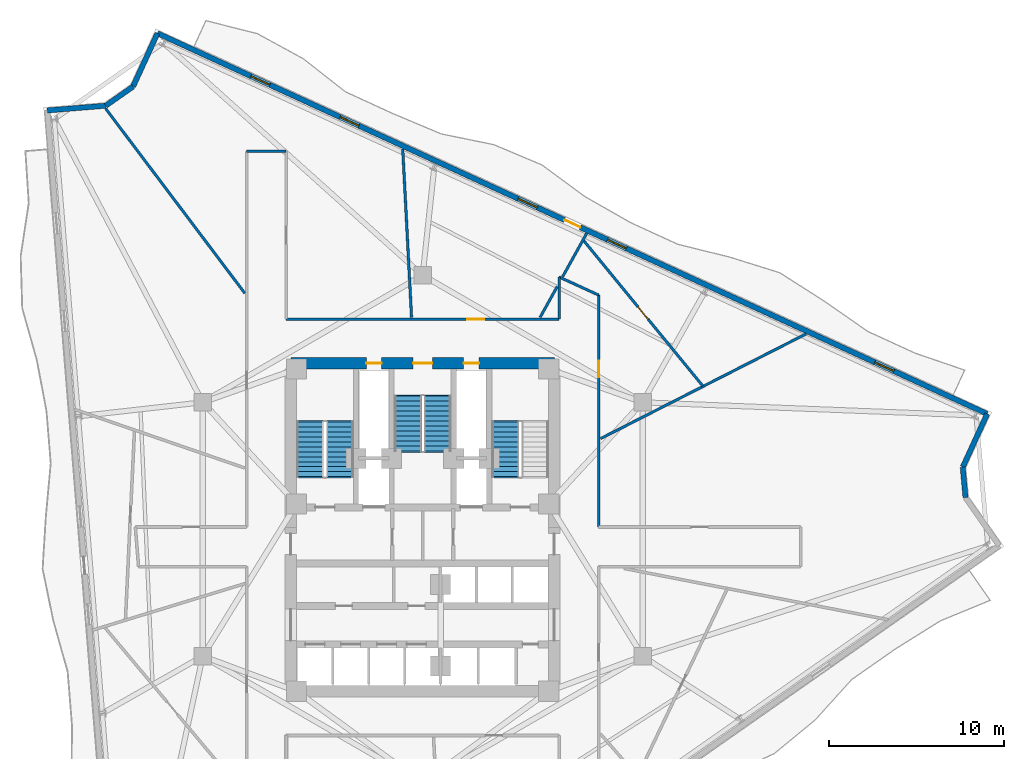
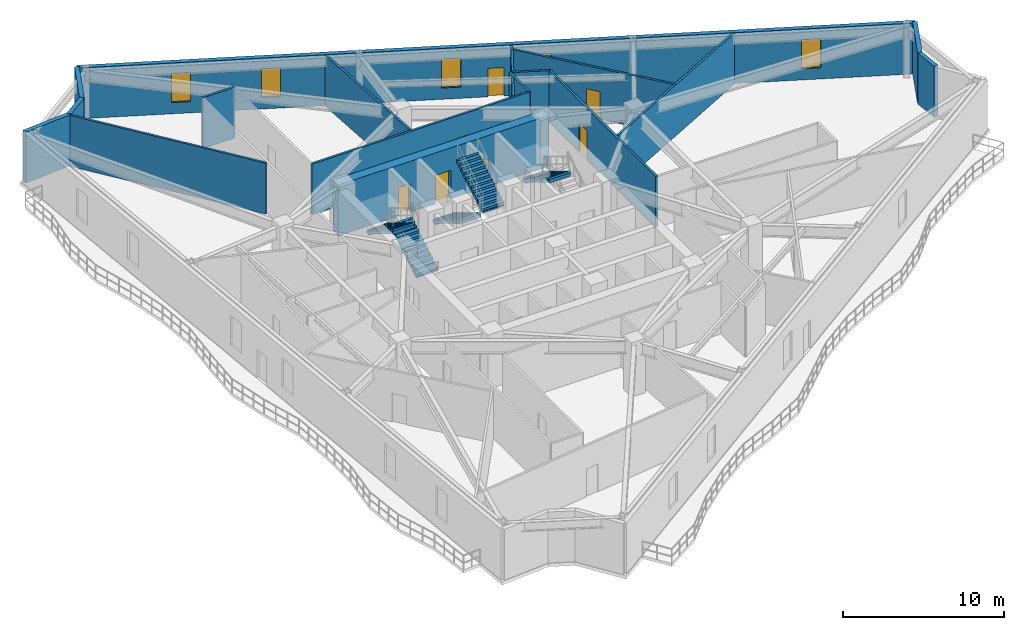
# One storey, part 7 of 12: 18 walls, 7 doors, 5 stair flights, 5 windows, 12 openings, 3 elements without a shape of their own.
"""IFC4 building model written with IfcOpenShell, lengths in metres."""

from ifc_helpers import new_model, si_unit, direction, frame, frame_2d, origin, place, context, subcontext, project, spatial, polyline, rectangle, outline, extrude, material, layer, layer_set, type_object, element, fill, aggregate, save


model = new_model("IFC4")

# Units and contexts
model_context = context("Model", 3, precision=1e-05, world=origin(), true_north=direction((0.0, 1.0)))
body_context = subcontext(model_context, "Body", "Model", "MODEL_VIEW")
ifc_project = project(units=[si_unit("LENGTHUNIT", "METRE"), si_unit("AREAUNIT", "SQUARE_METRE"), si_unit("VOLUMEUNIT", "CUBIC_METRE"), si_unit("PLANEANGLEUNIT", "RADIAN"), si_unit("MASSUNIT", "GRAM", prefix="KILO")], contexts=[model_context])

# Site, building, storey
site_placement = place(None, origin())
site = spatial("IfcSite", under=ifc_project, at=site_placement, CompositionType="ELEMENT")
building_placement = place(site_placement, origin())
building = spatial("IfcBuilding", under=site, at=building_placement, Name="Apsidion Concourse Tower", CompositionType="ELEMENT")
storey_placement = place(building_placement, frame((0.0, 0.0, 198.300048828125)))
storey = spatial("IfcBuildingStorey", under=building, at=storey_placement, Name="L46", CompositionType="ELEMENT", Elevation=198.300048828125)

# Wall, openings, door, windows
ifc_material_1 = material(Name="Precast concrete C40/50", Category="concrete")
ifc_layer_1 = layer(ifc_material_1, 0.300048828125)
ifc_layer_set_1 = layer_set([ifc_layer_1], Name="Precast concrete C40/50")
wall_type_1 = type_object("IfcWallType", Name="WL-EXT-300", PredefinedType="STANDARD", material=ifc_layer_set_1)
wall_1_placement = place(storey_placement, frame((-15.1435546875, 28.32177734375, 0.0), z_axis=(0.0, 0.0, 1.0), x_axis=(0.908932099953, -0.416944166136, 0.0)))
wall_1 = element("IfcWall", 1, at=wall_1_placement, inside=storey, type_object=wall_type_1, Name="L46 Precast Stone Facade Wall 01", PredefinedType="STANDARD", context=body_context, shape_type="SweptSolid", body=[
    extrude(rectangle(XDim=52.127685546875, YDim=0.300048828125, at=frame_2d((26.06396484375, 0.0))), origin(), (0.0, 0.0, 1.0), 3.849853515625),
])
opening_1_placement = place(wall_1_placement, frame((25.56396484375, 0.0, 0.0)))
opening_1 = element("IfcOpeningElement", 2, at=opening_1_placement, cuts=wall_1, Name="Opening D-T1L", PredefinedType="OPENING", context=body_context, shape_type="SweptSolid", body=[
    extrude(rectangle(XDim=1.0, YDim=2.14990234375, at=frame_2d((0.5, 1.074951171875))), frame((0.0, 0.16015625, 0.0), z_axis=(0.0, -1.0, 0.0), x_axis=(1.0, 0.0, 0.0)), (0.0, 0.0, 1.0), 0.320068359375),
])
opening_2_placement = place(wall_1_placement, frame((5.864013671875, 0.0, 0.85009765625)))
opening_2 = element("IfcOpeningElement", 3, at=opening_2_placement, cuts=wall_1, Name="Opening WN-06", PredefinedType="OPENING", context=body_context, shape_type="SweptSolid", body=[
    extrude(rectangle(XDim=1.199951171875, YDim=2.199951171875, at=frame_2d((0.60009765625, 1.10009765625))), frame((0.0, 0.16015625, 0.0), z_axis=(0.0, -1.0, 0.0), x_axis=(1.0, 0.0, 0.0)), (0.0, 0.0, 1.0), 0.320068359375),
])
opening_3_placement = place(wall_1_placement, frame((11.4638671875, 0.0, 0.85009765625)))
opening_3 = element("IfcOpeningElement", 4, at=opening_3_placement, cuts=wall_1, Name="Opening WN-06", PredefinedType="OPENING", context=body_context, shape_type="SweptSolid", body=[
    extrude(rectangle(XDim=1.199951171875, YDim=2.199951171875, at=frame_2d((0.60009765625, 1.10009765625))), frame((0.0, 0.16015625, 0.0), z_axis=(0.0, -1.0, 0.0), x_axis=(1.0, 0.0, 0.0)), (0.0, 0.0, 1.0), 0.320068359375),
])
opening_4_placement = place(wall_1_placement, frame((22.663818359375, 0.0, 0.85009765625)))
opening_4 = element("IfcOpeningElement", 5, at=opening_4_placement, cuts=wall_1, Name="Opening WN-06", PredefinedType="OPENING", context=body_context, shape_type="SweptSolid", body=[
    extrude(rectangle(XDim=1.199951171875, YDim=2.199951171875, at=frame_2d((0.60009765625, 1.10009765625))), frame((0.0, 0.16015625, 0.0), z_axis=(0.0, -1.0, 0.0), x_axis=(1.0, 0.0, 0.0)), (0.0, 0.0, 1.0), 0.320068359375),
])
opening_5_placement = place(wall_1_placement, frame((28.263916015625, 0.0, 0.85009765625)))
opening_5 = element("IfcOpeningElement", 6, at=opening_5_placement, cuts=wall_1, Name="Opening WN-06", PredefinedType="OPENING", context=body_context, shape_type="SweptSolid", body=[
    extrude(rectangle(XDim=1.199951171875, YDim=2.199951171875, at=frame_2d((0.60009765625, 1.10009765625))), frame((0.0, 0.16015625, 0.0), z_axis=(0.0, -1.0, 0.0), x_axis=(1.0, 0.0, 0.0)), (0.0, 0.0, 1.0), 0.320068359375),
])
opening_6_placement = place(wall_1_placement, frame((45.06396484375, 0.0, 0.85009765625)))
opening_6 = element("IfcOpeningElement", 7, at=opening_6_placement, cuts=wall_1, Name="Opening WN-06", PredefinedType="OPENING", context=body_context, shape_type="SweptSolid", body=[
    extrude(rectangle(XDim=1.199951171875, YDim=2.199951171875, at=frame_2d((0.60009765625, 1.10009765625))), frame((0.0, 0.16015625, 0.0), z_axis=(0.0, -1.0, 0.0), x_axis=(1.0, 0.0, 0.0)), (0.0, 0.0, 1.0), 0.320068359375),
])
ifc_material_2 = material(Name="Anodised aluminium EN AW-6063 T6", Category="aluminium")
door_type_1 = type_object("IfcDoorType", Name="DR-TER-1022L", OperationType="SINGLE_SWING_LEFT", PredefinedType="DOOR", material=ifc_material_2)
door_1_placement = place(opening_1_placement, origin())
door_1 = element("IfcDoor", 8, at=door_1_placement, inside=storey, type_object=door_type_1, Name="L46 Balcony Access Door 3", OperationType="SINGLE_SWING_LEFT", OverallHeight=2.14990234375, OverallWidth=1.0, PredefinedType="DOOR", context=body_context, shape_type="SweptSolid", body=[
    extrude(rectangle(XDim=1.0, YDim=2.14990234375, at=frame_2d((0.5, 1.074951171875))), frame((0.0, 0.02490234375, 0.0), z_axis=(0.0, -1.0, 0.0), x_axis=(1.0, 0.0, 0.0)), (0.0, 0.0, 1.0), 0.050048828125),
])
fill(opening_1, door_1)
ifc_material_3 = material(Name="Insulated laminated low-E glass", Category="glass")
window_type = type_object("IfcWindowType", Name="WN-OFF-1224", PartitioningType="SINGLE_PANEL", PredefinedType="WINDOW", material=ifc_material_3)
window_1_placement = place(opening_2_placement, origin())
window_1 = element("IfcWindow", 9, at=window_1_placement, inside=storey, type_object=window_type, Name="L46 Punched Facade Window 1-01", OverallHeight=2.199951171875, OverallWidth=1.199951171875, PartitioningType="SINGLE_PANEL", PredefinedType="WINDOW", context=body_context, shape_type="SweptSolid", body=[
    extrude(rectangle(XDim=1.199951171875, YDim=2.199951171875, at=frame_2d((0.60009765625, 1.10009765625))), frame((0.0, 0.030029296875, 0.0), z_axis=(0.0, -1.0, 0.0), x_axis=(1.0, 0.0, 0.0)), (0.0, 0.0, 1.0), 0.06005859375),
])
fill(opening_2, window_1)
window_2_placement = place(opening_3_placement, origin())
window_2 = element("IfcWindow", 10, at=window_2_placement, inside=storey, type_object=window_type, Name="L46 Punched Facade Window 1-02", OverallHeight=2.199951171875, OverallWidth=1.199951171875, PartitioningType="SINGLE_PANEL", PredefinedType="WINDOW", context=body_context, shape_type="SweptSolid", body=[
    extrude(rectangle(XDim=1.199951171875, YDim=2.199951171875, at=frame_2d((0.60009765625, 1.10009765625))), frame((0.0, 0.030029296875, 0.0), z_axis=(0.0, -1.0, 0.0), x_axis=(1.0, 0.0, 0.0)), (0.0, 0.0, 1.0), 0.06005859375),
])
fill(opening_3, window_2)
window_3_placement = place(opening_4_placement, origin())
window_3 = element("IfcWindow", 11, at=window_3_placement, inside=storey, type_object=window_type, Name="L46 Punched Facade Window 1-04", OverallHeight=2.199951171875, OverallWidth=1.199951171875, PartitioningType="SINGLE_PANEL", PredefinedType="WINDOW", context=body_context, shape_type="SweptSolid", body=[
    extrude(rectangle(XDim=1.199951171875, YDim=2.199951171875, at=frame_2d((0.60009765625, 1.10009765625))), frame((0.0, 0.030029296875, 0.0), z_axis=(0.0, -1.0, 0.0), x_axis=(1.0, 0.0, 0.0)), (0.0, 0.0, 1.0), 0.06005859375),
])
fill(opening_4, window_3)
window_4_placement = place(opening_5_placement, origin())
window_4 = element("IfcWindow", 12, at=window_4_placement, inside=storey, type_object=window_type, Name="L46 Punched Facade Window 1-05", OverallHeight=2.199951171875, OverallWidth=1.199951171875, PartitioningType="SINGLE_PANEL", PredefinedType="WINDOW", context=body_context, shape_type="SweptSolid", body=[
    extrude(rectangle(XDim=1.199951171875, YDim=2.199951171875, at=frame_2d((0.60009765625, 1.10009765625))), frame((0.0, 0.030029296875, 0.0), z_axis=(0.0, -1.0, 0.0), x_axis=(1.0, 0.0, 0.0)), (0.0, 0.0, 1.0), 0.06005859375),
])
fill(opening_5, window_4)
window_5_placement = place(opening_6_placement, origin())
window_5 = element("IfcWindow", 13, at=window_5_placement, inside=storey, type_object=window_type, Name="L46 Punched Facade Window 1-08", OverallHeight=2.199951171875, OverallWidth=1.199951171875, PartitioningType="SINGLE_PANEL", PredefinedType="WINDOW", context=body_context, shape_type="SweptSolid", body=[
    extrude(rectangle(XDim=1.199951171875, YDim=2.199951171875, at=frame_2d((0.60009765625, 1.10009765625))), frame((0.0, 0.030029296875, 0.0), z_axis=(0.0, -1.0, 0.0), x_axis=(1.0, 0.0, 0.0)), (0.0, 0.0, 1.0), 0.06005859375),
])
fill(opening_6, window_5)

# Walls
wall_2_placement = place(storey_placement, frame((32.237060546875, 6.58740234375, 0.0), z_axis=(0.0, 0.0, 1.0), x_axis=(-0.416956203263, -0.908926578201, 0.0)))
element("IfcWall", 14, at=wall_2_placement, inside=storey, type_object=wall_type_1, Name="L46 Precast Stone Facade Wall 02", PredefinedType="STANDARD", context=body_context, shape_type="SweptSolid", body=[
    extrude(rectangle(XDim=3.345703125, YDim=0.300048828125, at=frame_2d((1.6728515625, 0.0))), origin(), (0.0, 0.0, 1.0), 3.849853515625),
])
wall_3_placement = place(storey_placement, frame((30.842041015625, 3.54638671875, 0.0), z_axis=(0.0, 0.0, 1.0), x_axis=(0.09030850916, -0.995913838228, 0.0)))
element("IfcWall", 15, at=wall_3_placement, inside=storey, type_object=wall_type_1, Name="L46 Precast Stone Facade Wall 03", PredefinedType="STANDARD", context=body_context, shape_type="SweptSolid", body=[
    extrude(rectangle(XDim=1.74365234375, YDim=0.300048828125, at=frame_2d((0.871826171875, 0.0))), origin(), (0.0, 0.0, 1.0), 3.849853515625),
])
wall_4_placement = place(storey_placement, frame((-21.4345703125, 23.9169921875, 0.0), z_axis=(0.0, 0.0, 1.0), x_axis=(0.99672253381, 0.080896171692, 0.0)))
element("IfcWall", 16, at=wall_4_placement, inside=storey, type_object=wall_type_1, Name="L46 Precast Stone Facade Wall 10", PredefinedType="STANDARD", context=body_context, shape_type="SweptSolid", body=[
    extrude(rectangle(XDim=3.346923828125, YDim=0.300048828125, at=frame_2d((1.67333984375, 0.0))), origin(), (0.0, 0.0, 1.0), 3.849853515625),
])
wall_5_placement = place(storey_placement, frame((-18.0986328125, 24.187744140625, 0.0), z_axis=(0.0, 0.0, 1.0), x_axis=(0.819147570989, 0.573582824833, 0.0)))
element("IfcWall", 17, at=wall_5_placement, inside=storey, type_object=wall_type_1, Name="L46 Precast Stone Facade Wall 11", PredefinedType="STANDARD", context=body_context, shape_type="SweptSolid", body=[
    extrude(rectangle(XDim=1.90380859375, YDim=0.300048828125, at=frame_2d((0.951904296875, 0.0))), origin(), (0.0, 0.0, 1.0), 3.849853515625),
])
wall_6_placement = place(storey_placement, frame((-16.5390625, 25.27978515625, 0.0), z_axis=(0.0, 0.0, 1.0), x_axis=(0.416966150663, 0.908922014917, 0.0)))
element("IfcWall", 18, at=wall_6_placement, inside=storey, type_object=wall_type_1, Name="L46 Precast Stone Facade Wall 12", PredefinedType="STANDARD", context=body_context, shape_type="SweptSolid", body=[
    extrude(rectangle(XDim=3.346923828125, YDim=0.300048828125, at=frame_2d((1.67333984375, 0.0))), origin(), (0.0, 0.0, 1.0), 3.849853515625),
])
ifc_material_4 = material(Name="Gypsum plasterboard partition")
ifc_layer_2 = layer(ifc_material_4, 0.14990234375)
ifc_layer_set_2 = layer_set([ifc_layer_2], Name="Gypsum plasterboard partition")
wall_type_2 = type_object("IfcWallType", Name="WL-INT-PAR-150", PredefinedType="PARTITIONING", material=ifc_layer_set_2)
wall_7_placement = place(storey_placement, frame((-10.050048828125, 21.580078125, 0.0), z_axis=(0.0, 0.0, 1.0), x_axis=(1.0, 0.0, 0.0)))
element("IfcWall", 19, at=wall_7_placement, inside=storey, type_object=wall_type_2, Name="L46 Interior Partition WL-L46-CORR-11", PredefinedType="PARTITIONING", context=body_context, shape_type="SweptSolid", body=[
    extrude(rectangle(XDim=2.260009765625, YDim=0.14990234375, at=frame_2d((1.1298828125, 0.0))), origin(), (0.0, 0.0, 1.0), 3.849853515625),
])

# Wall, opening, door
wall_8_placement = place(storey_placement, frame((-7.7900390625, 12.0, 0.0), z_axis=(0.0, 0.0, 1.0), x_axis=(1.0, 0.0, 0.0)))
wall_8 = element("IfcWall", 20, at=wall_8_placement, inside=storey, type_object=wall_type_2, Name="L46 Interior Partition WL-L46-CORR-13", PredefinedType="PARTITIONING", context=body_context, shape_type="SweptSolid", body=[
    extrude(rectangle(XDim=15.580078125, YDim=0.14990234375, at=frame_2d((7.7900390625, 0.0))), origin(), (0.0, 0.0, 1.0), 3.849853515625),
])
opening_7_placement = place(wall_8_placement, frame((10.348388671875, 0.0, 0.0)))
opening_7 = element("IfcOpeningElement", 21, at=opening_7_placement, cuts=wall_8, Name="Opening D-01L", PredefinedType="OPENING", context=body_context, shape_type="SweptSolid", body=[
    extrude(rectangle(XDim=0.949951171875, YDim=2.14990234375, at=frame_2d((0.47509765625, 1.074951171875))), frame((0.0, 0.0849609375, 0.0), z_axis=(0.0, -1.0, 0.0), x_axis=(1.0, 0.0, 0.0)), (0.0, 0.0, 1.0), 0.169921875),
])
ifc_material_5 = material(Name="Brushed stainless steel 316", Category="steel")
door_type_2 = type_object("IfcDoorType", Name="DR-INT-D01L", OperationType="SINGLE_SWING_LEFT", PredefinedType="DOOR", material=ifc_material_5)
door_2_placement = place(opening_7_placement, origin())
door_2 = element("IfcDoor", 22, at=door_2_placement, inside=storey, type_object=door_type_2, Name="L46 Corridor Entry Door 07", OperationType="SINGLE_SWING_LEFT", OverallHeight=2.14990234375, OverallWidth=0.949951171875, PredefinedType="DOOR", context=body_context, shape_type="SweptSolid", body=[
    extrude(rectangle(XDim=0.949951171875, YDim=2.14990234375, at=frame_2d((0.47509765625, 1.074951171875))), frame((0.0, 0.02490234375, 0.0), z_axis=(0.0, -1.0, 0.0), x_axis=(1.0, 0.0, 0.0)), (0.0, 0.0, 1.0), 0.050048828125),
])
fill(opening_7, door_2)

# Walls
wall_9_placement = place(storey_placement, frame((7.7900390625, 12.0, 0.0), z_axis=(0.0, 0.0, 1.0), x_axis=(0.0, 1.0, 0.0)))
element("IfcWall", 23, at=wall_9_placement, inside=storey, type_object=wall_type_2, Name="L46 Interior Partition WL-L46-CORR-14", PredefinedType="PARTITIONING", context=body_context, shape_type="SweptSolid", body=[
    extrude(rectangle(XDim=2.40771484375, YDim=0.14990234375, at=frame_2d((1.203857421875, 0.0))), origin(), (0.0, 0.0, 1.0), 3.849853515625),
])
wall_10_placement = place(storey_placement, frame((7.7900390625, 14.40771484375, 0.0), z_axis=(0.0, 0.0, 1.0), x_axis=(0.908908252736, -0.416996148792, 0.0)))
element("IfcWall", 24, at=wall_10_placement, inside=storey, type_object=wall_type_2, Name="L46 Interior Partition WL-L46-CORR-15", PredefinedType="PARTITIONING", context=body_context, shape_type="SweptSolid", body=[
    extrude(rectangle(XDim=2.486572265625, YDim=0.14990234375, at=frame_2d((1.2431640625, 0.0))), origin(), (0.0, 0.0, 1.0), 3.849853515625),
])

# Wall, opening, door
wall_11_placement = place(storey_placement, frame((10.050048828125, 13.370849609375, 0.0), z_axis=(0.0, 0.0, 1.0), x_axis=(0.0, -1.0, 0.0)))
wall_11 = element("IfcWall", 25, at=wall_11_placement, inside=storey, type_object=wall_type_2, Name="L46 Interior Partition WL-L46-CORR-16", PredefinedType="PARTITIONING", context=body_context, shape_type="SweptSolid", body=[
    extrude(rectangle(XDim=13.240966796875, YDim=0.14990234375, at=frame_2d((6.62060546875, 0.0))), origin(), (0.0, 0.0, 1.0), 3.849853515625),
])
opening_8_placement = place(wall_11_placement, frame((3.752685546875, 0.0, 0.0)))
opening_8 = element("IfcOpeningElement", 26, at=opening_8_placement, cuts=wall_11, Name="Opening D-01R", PredefinedType="OPENING", context=body_context, shape_type="SweptSolid", body=[
    extrude(rectangle(XDim=0.949951171875, YDim=2.14990234375, at=frame_2d((0.47509765625, 1.074951171875))), frame((0.0, 0.0849609375, 0.0), z_axis=(0.0, -1.0, 0.0), x_axis=(1.0, 0.0, 0.0)), (0.0, 0.0, 1.0), 0.169921875),
])
door_type_3 = type_object("IfcDoorType", Name="DR-INT-D01R", OperationType="SINGLE_SWING_RIGHT", PredefinedType="DOOR", material=ifc_material_5)
door_3_placement = place(opening_8_placement, origin())
door_3 = element("IfcDoor", 27, at=door_3_placement, inside=storey, type_object=door_type_3, Name="L46 Corridor Entry Door 06", OperationType="SINGLE_SWING_RIGHT", OverallHeight=2.14990234375, OverallWidth=0.949951171875, PredefinedType="DOOR", context=body_context, shape_type="SweptSolid", body=[
    extrude(rectangle(XDim=0.949951171875, YDim=2.14990234375, at=frame_2d((0.47509765625, 1.074951171875))), frame((0.0, 0.02490234375, 0.0), z_axis=(0.0, -1.0, 0.0), x_axis=(1.0, 0.0, 0.0)), (0.0, 0.0, 1.0), 0.050048828125),
])
fill(opening_8, door_3)

# Walls
wall_12_placement = place(storey_placement, frame((10.155029296875, 5.17431640625, 0.0), z_axis=(0.0, 0.0, 1.0), x_axis=(0.891008793656, 0.453986045631, 0.0)))
element("IfcWall", 28, at=wall_12_placement, inside=storey, type_object=wall_type_2, Name="L46 Interior Partition WL-L46-RAD-01-1", PredefinedType="PARTITIONING", context=body_context, shape_type="SweptSolid", body=[
    extrude(rectangle(XDim=13.1689453125, YDim=0.14990234375, at=frame_2d((6.58447265625, 0.0))), origin(), (0.0, 0.0, 1.0), 3.849853515625),
])
wall_13_placement = place(storey_placement, frame((6.7099609375, 12.10498046875, 0.0), z_axis=(0.0, 0.0, 1.0), x_axis=(0.484828496674, 0.874609243499, 0.0)))
element("IfcWall", 29, at=wall_13_placement, inside=storey, type_object=wall_type_2, Name="L46 Interior Partition WL-L46-RAD-02-1", PredefinedType="PARTITIONING", context=body_context, shape_type="SweptSolid", body=[
    extrude(rectangle(XDim=2.01123046875, YDim=0.14990234375, at=frame_2d((1.005615234375, 0.0))), origin(), (0.0, 0.0, 1.0), 3.849853515625),
])
wall_14_placement = place(storey_placement, frame((7.99755859375, 14.427978515625, 0.0), z_axis=(0.0, 0.0, 1.0), x_axis=(0.484790982179, 0.874630038129, 0.0)))
element("IfcWall", 30, at=wall_14_placement, inside=storey, type_object=wall_type_2, Name="L46 Interior Partition WL-L46-RAD-02-2", PredefinedType="PARTITIONING", context=body_context, shape_type="SweptSolid", body=[
    extrude(rectangle(XDim=2.8232421875, YDim=0.14990234375, at=frame_2d((1.41162109375, 0.0))), origin(), (0.0, 0.0, 1.0), 3.849853515625),
])
wall_15_placement = place(storey_placement, frame((-0.634521484375, 12.10498046875, 0.0), z_axis=(0.0, 0.0, 1.0), x_axis=(-0.05233381501, 0.99862964697, 0.0)))
element("IfcWall", 31, at=wall_15_placement, inside=storey, type_object=wall_type_2, Name="L46 Interior Partition WL-L46-RAD-03-1", PredefinedType="PARTITIONING", context=body_context, shape_type="SweptSolid", body=[
    extrude(rectangle(XDim=9.6240234375, YDim=0.14990234375, at=frame_2d((4.81201171875, 0.0))), origin(), (0.0, 0.0, 1.0), 3.849853515625),
])
wall_16_placement = place(storey_placement, frame((-10.155029296875, 13.47607421875, 0.0), z_axis=(0.0, 0.0, 1.0), x_axis=(-0.601808882226, 0.79864013753, 0.0)))
element("IfcWall", 32, at=wall_16_placement, inside=storey, type_object=wall_type_2, Name="L46 Interior Partition WL-L46-RAD-04-1", PredefinedType="PARTITIONING", context=body_context, shape_type="SweptSolid", body=[
    extrude(rectangle(XDim=13.204833984375, YDim=0.14990234375, at=frame_2d((6.6025390625, 0.0))), origin(), (0.0, 0.0, 1.0), 3.849853515625),
])

# Wall, opening, door
wall_17_placement = place(storey_placement, frame((15.9990234375, 8.179931640625, 0.0), z_axis=(0.0, 0.0, 1.0), x_axis=(-0.633723091154, 0.773559980698, 0.0)))
wall_17 = element("IfcWall", 33, at=wall_17_placement, inside=storey, type_object=wall_type_2, Name="L46 Interior Partition WL-L46-CHD-OFS05", PredefinedType="PARTITIONING", context=body_context, shape_type="SweptSolid", body=[
    extrude(rectangle(XDim=10.763427734375, YDim=0.14990234375, at=frame_2d((5.3818359375, 0.0))), origin(), (0.0, 0.0, 1.0), 3.849853515625),
])
opening_9_placement = place(wall_17_placement, frame((4.931640625, 0.0, 0.0)))
opening_9 = element("IfcOpeningElement", 34, at=opening_9_placement, cuts=wall_17, Name="Opening D-02R", PredefinedType="OPENING", context=body_context, shape_type="SweptSolid", body=[
    extrude(rectangle(XDim=0.89990234375, YDim=2.10009765625, at=frame_2d((0.449951171875, 1.050048828125))), frame((0.0, 0.0849609375, 0.0), z_axis=(0.0, -1.0, 0.0), x_axis=(1.0, 0.0, 0.0)), (0.0, 0.0, 1.0), 0.169921875),
])
door_type_4 = type_object("IfcDoorType", Name="DR-INT-D02R", OperationType="SINGLE_SWING_RIGHT", PredefinedType="DOOR", material=ifc_material_2)
door_4_placement = place(opening_9_placement, origin())
door_4 = element("IfcDoor", 35, at=door_4_placement, inside=storey, type_object=door_type_4, Name="L46 Suite Connecting Door OFS05", OperationType="SINGLE_SWING_RIGHT", OverallHeight=2.10009765625, OverallWidth=0.89990234375, PredefinedType="DOOR", context=body_context, shape_type="SweptSolid", body=[
    extrude(rectangle(XDim=0.89990234375, YDim=2.10009765625, at=frame_2d((0.449951171875, 1.050048828125))), frame((0.0, 0.02490234375, 0.0), z_axis=(0.0, -1.0, 0.0), x_axis=(1.0, 0.0, 0.0)), (0.0, 0.0, 1.0), 0.050048828125),
])
fill(opening_9, door_4)

# Wall, openings, doors
ifc_material_6 = material(Name="Concrete C50/60", Category="concrete")
ifc_layer_3 = layer(ifc_material_6, 0.64990234375)
ifc_layer_set_3 = layer_set([ifc_layer_3], Name="Concrete C50/60")
wall_type_3 = type_object("IfcWallType", Name="WL-SH-650", PredefinedType="SHEAR", material=ifc_layer_set_3)
wall_18_placement = place(storey_placement, frame((-7.52490234375, 9.47509765625, 0.0), z_axis=(0.0, 0.0, 1.0), x_axis=(1.0, 0.0, 0.0)))
wall_18 = element("IfcWall", 36, at=wall_18_placement, inside=storey, type_object=wall_type_3, Name="L46 Central Core Shear Wall N", PredefinedType="SHEAR", context=body_context, shape_type="SweptSolid", body=[
    extrude(rectangle(XDim=15.0498046875, YDim=0.64990234375, at=frame_2d((7.52490234375, 0.0))), origin(), (0.0, 0.0, 1.0), 3.849853515625),
])
opening_10_placement = place(wall_18_placement, frame((6.97509765625, 0.0, 0.0)))
opening_10 = element("IfcOpeningElement", 37, at=opening_10_placement, cuts=wall_18, Name="Opening D-STL", PredefinedType="OPENING", context=body_context, shape_type="SweptSolid", body=[
    extrude(rectangle(XDim=1.10009765625, YDim=2.14990234375, at=frame_2d((0.550048828125, 1.074951171875))), frame((0.0, 0.3349609375, 0.0), z_axis=(0.0, -1.0, 0.0), x_axis=(1.0, 0.0, 0.0)), (0.0, 0.0, 1.0), 0.669921875),
])
opening_11_placement = place(wall_18_placement, frame((4.304931640625, 0.0, 0.0)))
opening_11 = element("IfcOpeningElement", 38, at=opening_11_placement, cuts=wall_18, Name="Opening D-05L", PredefinedType="OPENING", context=body_context, shape_type="SweptSolid", body=[
    extrude(rectangle(XDim=0.8798828125, YDim=2.14990234375, at=frame_2d((0.43994140625, 1.074951171875))), frame((0.0, 0.3349609375, 0.0), z_axis=(0.0, -1.0, 0.0), x_axis=(1.0, 0.0, 0.0)), (0.0, 0.0, 1.0), 0.669921875),
])
opening_12_placement = place(wall_18_placement, frame((9.864990234375, 0.0, 0.0)))
opening_12 = element("IfcOpeningElement", 39, at=opening_12_placement, cuts=wall_18, Name="Opening D-05R", PredefinedType="OPENING", context=body_context, shape_type="SweptSolid", body=[
    extrude(rectangle(XDim=0.8798828125, YDim=2.14990234375, at=frame_2d((0.43994140625, 1.074951171875))), frame((0.0, 0.3349609375, 0.0), z_axis=(0.0, -1.0, 0.0), x_axis=(1.0, 0.0, 0.0)), (0.0, 0.0, 1.0), 0.669921875),
])
door_type_5 = type_object("IfcDoorType", Name="DR-INT-D05L", OperationType="SINGLE_SWING_LEFT", PredefinedType="DOOR", material=ifc_material_5)
door_5_placement = place(opening_11_placement, origin())
door_5 = element("IfcDoor", 40, at=door_5_placement, inside=storey, type_object=door_type_5, Name="L46 Electrical Riser Shaft Access Door", OperationType="SINGLE_SWING_LEFT", OverallHeight=2.14990234375, OverallWidth=0.8798828125, PredefinedType="DOOR", context=body_context, shape_type="SweptSolid", body=[
    extrude(rectangle(XDim=0.8798828125, YDim=2.14990234375, at=frame_2d((0.43994140625, 1.074951171875))), frame((0.0, 0.02490234375, 0.0), z_axis=(0.0, -1.0, 0.0), x_axis=(1.0, 0.0, 0.0)), (0.0, 0.0, 1.0), 0.050048828125),
])
fill(opening_11, door_5)
door_type_6 = type_object("IfcDoorType", Name="DR-INT-D05R", OperationType="SINGLE_SWING_RIGHT", PredefinedType="DOOR", material=ifc_material_5)
door_6_placement = place(opening_12_placement, origin())
door_6 = element("IfcDoor", 41, at=door_6_placement, inside=storey, type_object=door_type_6, Name="L46 Mechanical Riser Shaft Access Door", OperationType="SINGLE_SWING_RIGHT", OverallHeight=2.14990234375, OverallWidth=0.8798828125, PredefinedType="DOOR", context=body_context, shape_type="SweptSolid", body=[
    extrude(rectangle(XDim=0.8798828125, YDim=2.14990234375, at=frame_2d((0.43994140625, 1.074951171875))), frame((0.0, 0.02490234375, 0.0), z_axis=(0.0, -1.0, 0.0), x_axis=(1.0, 0.0, 0.0)), (0.0, 0.0, 1.0), 0.050048828125),
])
fill(opening_12, door_6)
door_type_7 = type_object("IfcDoorType", Name="DR-INT-ST1L", OperationType="SINGLE_SWING_LEFT", PredefinedType="DOOR", material=ifc_material_5)
door_7_placement = place(opening_10_placement, origin())
door_7 = element("IfcDoor", 42, at=door_7_placement, inside=storey, type_object=door_type_7, Name="L46 Core Exit Stair ST3 Door", OperationType="SINGLE_SWING_LEFT", OverallHeight=2.14990234375, OverallWidth=1.10009765625, PredefinedType="DOOR", context=body_context, shape_type="SweptSolid", body=[
    extrude(rectangle(XDim=1.10009765625, YDim=2.14990234375, at=frame_2d((0.550048828125, 1.074951171875))), frame((0.0, 0.02490234375, 0.0), z_axis=(0.0, -1.0, 0.0), x_axis=(1.0, 0.0, 0.0)), (0.0, 0.0, 1.0), 0.050048828125),
])
fill(opening_10, door_7)

# Stair, stair flights
stair_type = type_object("IfcStairType", Name="ST-DL-1550", PredefinedType="HALF_TURN_STAIR", material=ifc_material_1)
stair_1_placement = place(storey_placement, origin())
stair_1 = element("IfcStair", 43, at=stair_1_placement, inside=storey, type_object=stair_type, Name="L46 Protected Core Exit Stair ST1", PredefinedType="HALF_TURN_STAIR")
stair_flight_type = type_object("IfcStairFlightType", Name="SFL-RC-1550", PredefinedType="STRAIGHT", material=ifc_material_1)
stair_flight_1_placement = place(storey_placement, frame((-4.72509765625, 3.0, 0.0), z_axis=(0.0, 0.0, 1.0), x_axis=(0.0, 1.0, 0.0)))
stair_flight_1 = element("IfcStairFlight", 44, at=stair_flight_1_placement, type_object=stair_flight_type, Name="ST1 flight 1", NumberOfRisers=12, NumberOfTreads=11, PredefinedType="STRAIGHT", RiserHeight=0.170833333, TreadLength=0.285, context=body_context, shape_type="SweptSolid", body=[
    extrude(outline(polyline([(-0.080078125, -0.1123046875), (-0.080078125, 0.0), (0.0, 0.0), (0.0, 0.1708984375), (0.284912109375, 0.1708984375), (0.284912109375, 0.341552734375), (0.570068359375, 0.341552734375), (0.570068359375, 0.512451171875), (0.85498046875, 0.512451171875), (0.85498046875, 0.683349609375), (1.139892578125, 0.683349609375), (1.139892578125, 0.854248046875), (1.425048828125, 0.854248046875), (1.425048828125, 1.02490234375), (1.7099609375, 1.02490234375), (1.7099609375, 1.19580078125), (1.9951171875, 1.19580078125), (1.9951171875, 1.36669921875), (2.280029296875, 1.36669921875), (2.280029296875, 1.53759765625), (2.56494140625, 1.53759765625), (2.56494140625, 1.708251953125), (2.85009765625, 1.708251953125), (2.85009765625, 1.879150390625), (3.135009765625, 1.879150390625), (3.135009765625, 2.050048828125), (3.215087890625, 1.964599609375), (3.215087890625, 1.704345703125), (3.135009765625, 1.704345703125), (0.29150390625, 0.0), (0.29150390625, -0.1123046875), (-0.080078125, -0.1123046875)])), frame((0.0, 0.77490234375, 0.0), z_axis=(0.0, -1.0, 0.0), x_axis=(1.0, 0.0, 0.0)), (0.0, 0.0, 1.0), 1.550048828125),
])
stair_flight_2_placement = place(storey_placement, frame((-6.425048828125, 6.135009765625, 2.050048828125), z_axis=(0.0, 0.0, 1.0), x_axis=(0.0, -1.0, 0.0)))
stair_flight_2 = element("IfcStairFlight", 45, at=stair_flight_2_placement, type_object=stair_flight_type, Name="ST1 flight 2", NumberOfRisers=12, NumberOfTreads=11, PredefinedType="STRAIGHT", RiserHeight=0.170833333, TreadLength=0.285, context=body_context, shape_type="SweptSolid", body=[
    extrude(outline(polyline([(-0.080078125, -0.1123046875), (-0.080078125, 0.0), (0.0, 0.0), (0.0, 0.1708984375), (0.284912109375, 0.1708984375), (0.284912109375, 0.341552734375), (0.570068359375, 0.341552734375), (0.570068359375, 0.512451171875), (0.85498046875, 0.512451171875), (0.85498046875, 0.683349609375), (1.139892578125, 0.683349609375), (1.139892578125, 0.854248046875), (1.425048828125, 0.854248046875), (1.425048828125, 1.02490234375), (1.7099609375, 1.02490234375), (1.7099609375, 1.19580078125), (1.9951171875, 1.19580078125), (1.9951171875, 1.36669921875), (2.280029296875, 1.36669921875), (2.280029296875, 1.53759765625), (2.56494140625, 1.53759765625), (2.56494140625, 1.708251953125), (2.85009765625, 1.708251953125), (2.85009765625, 1.879150390625), (3.135009765625, 1.879150390625), (3.135009765625, 2.050048828125), (3.215087890625, 1.964599609375), (3.215087890625, 1.704345703125), (3.135009765625, 1.704345703125), (0.29150390625, 0.0), (0.29150390625, -0.1123046875), (-0.080078125, -0.1123046875)])), frame((0.0, 0.77490234375, 0.0), z_axis=(0.0, -1.0, 0.0), x_axis=(1.0, 0.0, 0.0)), (0.0, 0.0, 1.0), 1.550048828125),
])
aggregate(stair_1, [stair_flight_1, stair_flight_2])

# Stair, stair flight
stair_2_placement = place(storey_placement, origin())
stair_2 = element("IfcStair", 46, at=stair_2_placement, inside=storey, type_object=stair_type, Name="L46 Protected Core Exit Stair ST2", PredefinedType="HALF_TURN_STAIR")
stair_flight_3_placement = place(storey_placement, frame((4.72509765625, 6.135009765625, 2.050048828125), z_axis=(0.0, 0.0, 1.0), x_axis=(0.0, -1.0, 0.0)))
stair_flight_3 = element("IfcStairFlight", 47, at=stair_flight_3_placement, type_object=stair_flight_type, Name="ST2 flight 2", NumberOfRisers=12, NumberOfTreads=11, PredefinedType="STRAIGHT", RiserHeight=0.170833333, TreadLength=0.285, context=body_context, shape_type="SweptSolid", body=[
    extrude(outline(polyline([(-0.080078125, -0.1123046875), (-0.080078125, 0.0), (0.0, 0.0), (0.0, 0.1708984375), (0.284912109375, 0.1708984375), (0.284912109375, 0.341552734375), (0.570068359375, 0.341552734375), (0.570068359375, 0.512451171875), (0.85498046875, 0.512451171875), (0.85498046875, 0.683349609375), (1.139892578125, 0.683349609375), (1.139892578125, 0.854248046875), (1.425048828125, 0.854248046875), (1.425048828125, 1.02490234375), (1.7099609375, 1.02490234375), (1.7099609375, 1.19580078125), (1.9951171875, 1.19580078125), (1.9951171875, 1.36669921875), (2.280029296875, 1.36669921875), (2.280029296875, 1.53759765625), (2.56494140625, 1.53759765625), (2.56494140625, 1.708251953125), (2.85009765625, 1.708251953125), (2.85009765625, 1.879150390625), (3.135009765625, 1.879150390625), (3.135009765625, 2.050048828125), (3.215087890625, 1.964599609375), (3.215087890625, 1.704345703125), (3.135009765625, 1.704345703125), (0.29150390625, 0.0), (0.29150390625, -0.1123046875), (-0.080078125, -0.1123046875)])), frame((0.0, 0.77490234375, 0.0), z_axis=(0.0, -1.0, 0.0), x_axis=(1.0, 0.0, 0.0)), (0.0, 0.0, 1.0), 1.550048828125),
])
aggregate(stair_2, [stair_flight_3])

# Stair, stair flights
stair_3_placement = place(storey_placement, origin())
stair_3 = element("IfcStair", 48, at=stair_3_placement, inside=storey, type_object=stair_type, Name="L46 Protected Core Exit Stair ST3", PredefinedType="HALF_TURN_STAIR")
stair_flight_4_placement = place(storey_placement, frame((-0.85009765625, 7.60009765625, 0.0), z_axis=(0.0, 0.0, 1.0), x_axis=(0.0, -1.0, 0.0)))
stair_flight_4 = element("IfcStairFlight", 49, at=stair_flight_4_placement, type_object=stair_flight_type, Name="ST3 flight 1", NumberOfRisers=12, NumberOfTreads=11, PredefinedType="STRAIGHT", RiserHeight=0.170833333, TreadLength=0.285, context=body_context, shape_type="SweptSolid", body=[
    extrude(outline(polyline([(-0.080078125, -0.1123046875), (-0.080078125, 0.0), (0.0, 0.0), (0.0, 0.1708984375), (0.284912109375, 0.1708984375), (0.284912109375, 0.341552734375), (0.570068359375, 0.341552734375), (0.570068359375, 0.512451171875), (0.85498046875, 0.512451171875), (0.85498046875, 0.683349609375), (1.139892578125, 0.683349609375), (1.139892578125, 0.854248046875), (1.425048828125, 0.854248046875), (1.425048828125, 1.02490234375), (1.7099609375, 1.02490234375), (1.7099609375, 1.19580078125), (1.9951171875, 1.19580078125), (1.9951171875, 1.36669921875), (2.280029296875, 1.36669921875), (2.280029296875, 1.53759765625), (2.56494140625, 1.53759765625), (2.56494140625, 1.708251953125), (2.85009765625, 1.708251953125), (2.85009765625, 1.879150390625), (3.135009765625, 1.879150390625), (3.135009765625, 2.050048828125), (3.215087890625, 1.964599609375), (3.215087890625, 1.704345703125), (3.135009765625, 1.704345703125), (0.29150390625, 0.0), (0.29150390625, -0.1123046875), (-0.080078125, -0.1123046875)])), frame((0.0, 0.77490234375, 0.0), z_axis=(0.0, -1.0, 0.0), x_axis=(1.0, 0.0, 0.0)), (0.0, 0.0, 1.0), 1.550048828125),
])
stair_flight_5_placement = place(storey_placement, frame((0.85009765625, 4.465087890625, 2.050048828125), z_axis=(0.0, 0.0, 1.0), x_axis=(0.0, 1.0, 0.0)))
stair_flight_5 = element("IfcStairFlight", 50, at=stair_flight_5_placement, type_object=stair_flight_type, Name="ST3 flight 2", NumberOfRisers=12, NumberOfTreads=11, PredefinedType="STRAIGHT", RiserHeight=0.170833333, TreadLength=0.285, context=body_context, shape_type="SweptSolid", body=[
    extrude(outline(polyline([(-0.080078125, -0.1123046875), (-0.080078125, 0.0), (0.0, 0.0), (0.0, 0.1708984375), (0.284912109375, 0.1708984375), (0.284912109375, 0.341552734375), (0.570068359375, 0.341552734375), (0.570068359375, 0.512451171875), (0.85498046875, 0.512451171875), (0.85498046875, 0.683349609375), (1.139892578125, 0.683349609375), (1.139892578125, 0.854248046875), (1.425048828125, 0.854248046875), (1.425048828125, 1.02490234375), (1.7099609375, 1.02490234375), (1.7099609375, 1.19580078125), (1.9951171875, 1.19580078125), (1.9951171875, 1.36669921875), (2.280029296875, 1.36669921875), (2.280029296875, 1.53759765625), (2.56494140625, 1.53759765625), (2.56494140625, 1.708251953125), (2.85009765625, 1.708251953125), (2.85009765625, 1.879150390625), (3.135009765625, 1.879150390625), (3.135009765625, 2.050048828125), (3.215087890625, 1.964599609375), (3.215087890625, 1.704345703125), (3.135009765625, 1.704345703125), (0.29150390625, 0.0), (0.29150390625, -0.1123046875), (-0.080078125, -0.1123046875)])), frame((0.0, 0.77490234375, 0.0), z_axis=(0.0, -1.0, 0.0), x_axis=(1.0, 0.0, 0.0)), (0.0, 0.0, 1.0), 1.550048828125),
])
aggregate(stair_3, [stair_flight_4, stair_flight_5])

save(model, "model.ifc")
